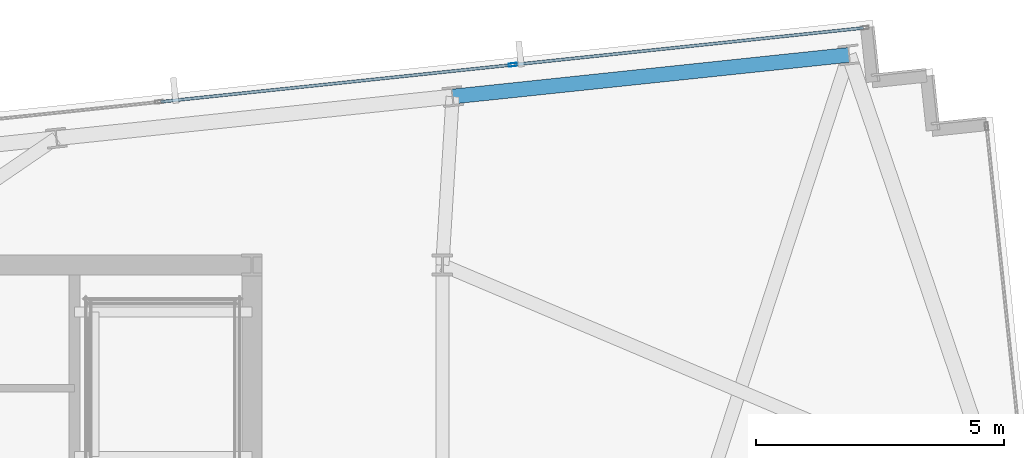
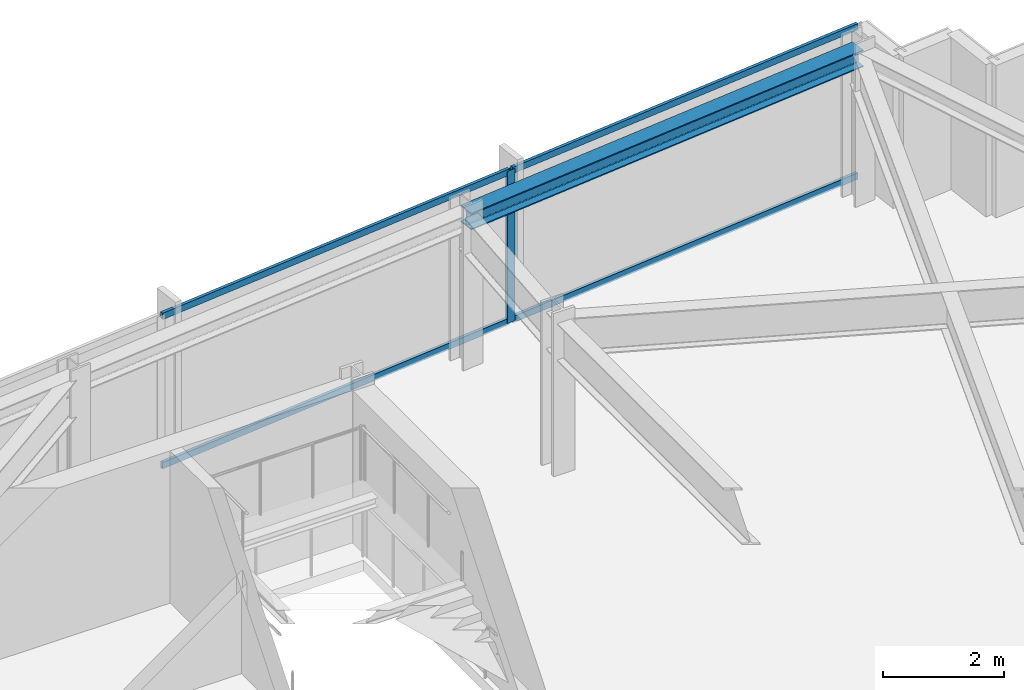
# One storey, part 24 of 32: 5 members, 1 beam, 1 element without a shape of its own.
"""IFC4 building model written with IfcOpenShell, lengths in metres."""

from ifc_helpers import new_model, si_unit, direction, frame, origin, origin_2d, place, context, subcontext, project, spatial, hollow_rectangle, i_section, extrude, material, material_profile, profile_set, type_object, element, aggregate, save


model = new_model("IFC4")

# Units and contexts
model_context = context("Model", 3, precision=1e-05, world=origin(), true_north=direction((0.0, 1.0)))
body_context = subcontext(model_context, "Body", "Model", "MODEL_VIEW")
ifc_project = project(units=[si_unit("LENGTHUNIT", "METRE"), si_unit("AREAUNIT", "SQUARE_METRE"), si_unit("VOLUMEUNIT", "CUBIC_METRE"), si_unit("PLANEANGLEUNIT", "RADIAN"), si_unit("MASSUNIT", "GRAM", prefix="KILO")], contexts=[model_context])

# Site, building, storey
site_placement = place(None, origin())
site = spatial("IfcSite", under=ifc_project, at=site_placement, CompositionType="ELEMENT")
building_placement = place(site_placement, origin())
building = spatial("IfcBuilding", under=site, at=building_placement, Name="Yelkora Congress Tower", CompositionType="ELEMENT")
storey_placement = place(building_placement, frame((0.0, 0.0, 217.699951171875)))
storey = spatial("IfcBuildingStorey", under=building, at=storey_placement, Name="L60", CompositionType="ELEMENT", Elevation=217.699951171875)

# Beam
ifc_material_1 = material(Name="Steel S355J2", Category="steel")
ifc_material_profile_1 = material_profile(ifc_material_1, i_section(OverallWidth=0.300048828125, OverallDepth=0.340087890625, WebThickness=0.011962890625, FlangeThickness=0.021484375, FilletRadius=0.027099609375, at=origin_2d()), Name="HEB 340")
ifc_profile_set_1 = profile_set([ifc_material_profile_1], Name="Steel S355J2")
beam_type = type_object("IfcBeamType", Name="BM-SPAN-HEB340", PredefinedType="SPANDREL", material=ifc_profile_set_1)
beam_placement = place(storey_placement, frame((65.7958984375, 50.4365234375, 2.91015625), z_axis=(-0.994520097542, -0.104545567032, 0.0), x_axis=(0.104545567032, -0.994520097542, 0.0)))
element("IfcBeam", 1, at=beam_placement, inside=storey, type_object=beam_type, Name="L60 Perimeter Beam 13", PredefinedType="SPANDREL", context=body_context, shape_type="SweptSolid", body=[
    extrude(i_section(OverallWidth=0.300048828125, OverallDepth=0.340087890625, WebThickness=0.011962890625, FlangeThickness=0.021484375, FilletRadius=0.027099609375, at=origin_2d()), origin(), (0.0, 0.0, 1.0), 8.033203125),
])

# Curtain wall, members
ifc_material_2 = material(Name="Anodised aluminium and insulated glass", Category="aluminium")
curtain_wall_type = type_object("IfcCurtainWallType", Name="CW-SYS-B4", PredefinedType="NOTDEFINED", material=ifc_material_2)
curtain_wall_placement = place(storey_placement, origin())
curtain_wall = element("IfcCurtainWall", 2, at=curtain_wall_placement, inside=storey, type_object=curtain_wall_type, Name="L60 Unitised Curtain Wall 10 (3)", PredefinedType="NOTDEFINED")
ifc_material_3 = material(Name="Anodised aluminium 6063-T6", Category="aluminium")
ifc_material_profile_2 = material_profile(ifc_material_3, hollow_rectangle(XDim=0.06494140625, YDim=0.159912109375, WallThickness=0.00390625, at=origin_2d()), Name="ALU 65x160x4")
ifc_profile_set_2 = profile_set([ifc_material_profile_2], Name="Anodised aluminium 6063-T6")
member_type_1 = type_object("IfcMemberType", Name="MEM-ML-B4", PredefinedType="MULLION", material=ifc_profile_set_2)
member_1_placement = place(storey_placement, frame((59.019775390625, 50.237060546875, 0.0), z_axis=(0.0, 0.0, 1.0), x_axis=(-0.104527724021, 0.994521973066, 0.0)))
member_1 = element("IfcMember", 3, at=member_1_placement, type_object=member_type_1, Name="CW-B4 mullion 6", PredefinedType="MULLION", context=body_context, shape_type="SweptSolid", body=[
    extrude(hollow_rectangle(XDim=0.06494140625, YDim=0.159912109375, WallThickness=0.00390625, at=origin_2d()), origin(), (0.0, 0.0, 1.0), 3.080078125),
])
ifc_material_profile_3 = material_profile(ifc_material_3, hollow_rectangle(XDim=0.06005859375, YDim=0.1298828125, WallThickness=0.00390625, at=origin_2d()), Name="ALU 60x130x4")
ifc_profile_set_3 = profile_set([ifc_material_profile_3], Name="Anodised aluminium 6063-T6")
member_type_2 = type_object("IfcMemberType", Name="MEM-TR-B4", PredefinedType="USERDEFINED", material=ifc_profile_set_3)
member_2_placement = place(storey_placement, frame((51.92138671875, 49.490966796875, 0.030029296875), z_axis=(0.99452200925, 0.104527379751, 0.0), x_axis=(-0.104527379751, 0.99452200925, 0.0)))
member_2 = element("IfcMember", 4, at=member_2_placement, type_object=member_type_2, Name="CW-B4 transom 5.1", ObjectType="TRANSOM", PredefinedType="USERDEFINED", context=body_context, shape_type="SweptSolid", body=[
    extrude(hollow_rectangle(XDim=0.06005859375, YDim=0.1298828125, WallThickness=0.00390625, at=origin_2d()), origin(), (0.0, 0.0, 1.0), 7.10498046875),
])
member_3_placement = place(storey_placement, frame((51.92138671875, 49.490966796875, 3.050048828125), z_axis=(0.99452200925, 0.104527379751, 0.0), x_axis=(-0.104527379751, 0.99452200925, 0.0)))
member_3 = element("IfcMember", 5, at=member_3_placement, type_object=member_type_2, Name="CW-B4 transom 5.2", ObjectType="TRANSOM", PredefinedType="USERDEFINED", context=body_context, shape_type="SweptSolid", body=[
    extrude(hollow_rectangle(XDim=0.06005859375, YDim=0.1298828125, WallThickness=0.00390625, at=origin_2d()), origin(), (0.0, 0.0, 1.0), 7.10498046875),
])
member_4_placement = place(storey_placement, frame((59.052001953125, 50.240478515625, 0.030029296875), z_axis=(0.994522462765, 0.104523064706, 0.0), x_axis=(-0.104523064706, 0.994522462765, 0.0)))
member_4 = element("IfcMember", 6, at=member_4_placement, type_object=member_type_2, Name="CW-B4 transom 6.1", ObjectType="TRANSOM", PredefinedType="USERDEFINED", context=body_context, shape_type="SweptSolid", body=[
    extrude(hollow_rectangle(XDim=0.06005859375, YDim=0.1298828125, WallThickness=0.00390625, at=origin_2d()), origin(), (0.0, 0.0, 1.0), 7.07275390625),
])
member_5_placement = place(storey_placement, frame((59.052001953125, 50.240478515625, 3.050048828125), z_axis=(0.994522462765, 0.104523064706, 0.0), x_axis=(-0.104523064706, 0.994522462765, 0.0)))
member_5 = element("IfcMember", 7, at=member_5_placement, type_object=member_type_2, Name="CW-B4 transom 6.2", ObjectType="TRANSOM", PredefinedType="USERDEFINED", context=body_context, shape_type="SweptSolid", body=[
    extrude(hollow_rectangle(XDim=0.06005859375, YDim=0.1298828125, WallThickness=0.00390625, at=origin_2d()), origin(), (0.0, 0.0, 1.0), 7.07275390625),
])
aggregate(curtain_wall, [member_1, member_2, member_3, member_4, member_5])

save(model, "model.ifc")
